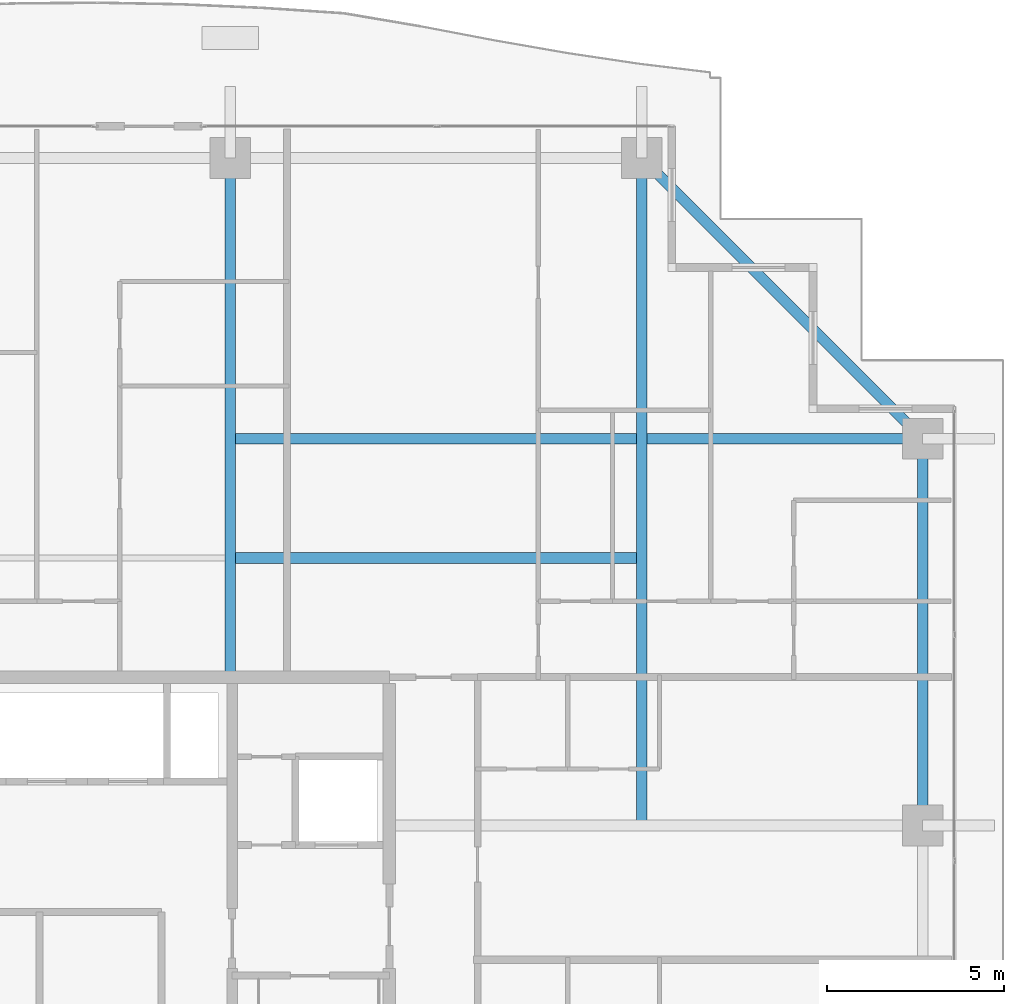
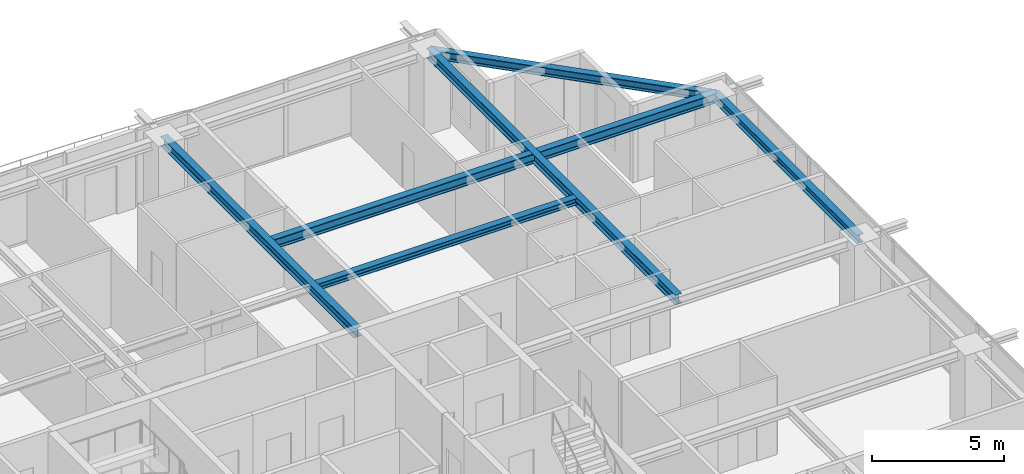
# One storey, part 23 of 39: 6 beams.
"""IFC4 building model written with IfcOpenShell, lengths in metres."""

from ifc_helpers import new_model, si_unit, direction, frame, origin, origin_2d, place, context, subcontext, project, spatial, i_section, extrude, source, transform, mapped, material, material_profile, profile_set, type_object, element, save


model = new_model("IFC4")

# Units and contexts
model_context = context("Model", 3, precision=1e-05, world=origin(), true_north=direction((0.0, 1.0)))
body_context = subcontext(model_context, "Body", "Model", "MODEL_VIEW")
ifc_project = project(units=[si_unit("LENGTHUNIT", "METRE"), si_unit("AREAUNIT", "SQUARE_METRE"), si_unit("VOLUMEUNIT", "CUBIC_METRE"), si_unit("PLANEANGLEUNIT", "RADIAN"), si_unit("MASSUNIT", "GRAM", prefix="KILO")], contexts=[model_context])

# Site, building, storey
site_placement = place(None, origin())
site = spatial("IfcSite", under=ifc_project, at=site_placement, CompositionType="ELEMENT")
building_placement = place(site_placement, origin())
building = spatial("IfcBuilding", under=site, at=building_placement, Name="Serunith Strait Residences", CompositionType="ELEMENT")
storey_placement = place(building_placement, frame((0.0, 0.0, 222.0)))
storey = spatial("IfcBuildingStorey", under=building, at=storey_placement, Name="L55", CompositionType="ELEMENT", Elevation=222.0)

# Beams
ifc_material = material(Name="Steel S355J2", Category="steel")
ifc_material_profile_1 = material_profile(ifc_material, i_section(OverallWidth=0.300048828125, OverallDepth=0.449951171875, WebThickness=0.013916015625, FlangeThickness=0.02587890625, FilletRadius=0.027099609375, at=origin_2d()), Name="HEB 450")
ifc_profile_set_1 = profile_set([ifc_material_profile_1], Name="Steel S355J2")
beam_type_1 = type_object("IfcBeamType", Name="BM-HEB450", PredefinedType="BEAM", material=ifc_profile_set_1)
shared_shape_1 = source(origin(), body_context, "Body", "SweptSolid", [
    extrude(i_section(OverallWidth=0.300048828125, OverallDepth=0.449951171875, WebThickness=0.013916015625, FlangeThickness=0.02587890625, FilletRadius=0.027099609375, at=origin_2d()), origin(), (0.0, 0.0, 1.0), 14.699951171875),
])
beam_1_placement = place(storey_placement, frame((36.89990234375, 33.60009765625, 3.362060546875), z_axis=(0.0, 1.0, 0.0), x_axis=(-1.0, 0.0, 0.0)))
element("IfcBeam", 1, at=beam_1_placement, inside=storey, type_object=beam_type_1, Name="L55 Primary Floor Girder TC-N3", PredefinedType="BEAM", context=body_context, shape_type="MappedRepresentation", body=[
    mapped(shared_shape_1, transform((0.0, 0.0, 0.0), scale=1.0)),
])
shared_shape_2 = source(origin(), body_context, "Body", "SweptSolid", [
    extrude(i_section(OverallWidth=0.300048828125, OverallDepth=0.449951171875, WebThickness=0.013916015625, FlangeThickness=0.02587890625, FilletRadius=0.027099609375, at=origin_2d()), origin(), (0.0, 0.0, 1.0), 18.900146484375),
])
beam_2_placement = place(storey_placement, frame((48.550048828125, 29.39990234375, 3.362060546875), z_axis=(0.0, 1.0, 0.0), x_axis=(-1.0, 0.0, 0.0)))
element("IfcBeam", 2, at=beam_2_placement, inside=storey, type_object=beam_type_1, Name="L55 Orthogonal Corner Girder TC-N4", PredefinedType="BEAM", context=body_context, shape_type="MappedRepresentation", body=[
    mapped(shared_shape_2, transform((0.0, 0.0, 0.0), scale=1.0)),
])
shared_shape_3 = source(origin(), body_context, "Body", "SweptSolid", [
    extrude(i_section(OverallWidth=0.300048828125, OverallDepth=0.449951171875, WebThickness=0.013916015625, FlangeThickness=0.02587890625, FilletRadius=0.027099609375, at=origin_2d()), origin(), (0.0, 0.0, 1.0), 19.60009765625),
])
beam_3_placement = place(storey_placement, frame((36.89990234375, 40.35009765625, 3.362060546875), z_axis=(1.0, 0.0, 0.0), x_axis=(0.0, 1.0, 0.0)))
element("IfcBeam", 3, at=beam_3_placement, inside=storey, type_object=beam_type_1, Name="L55 Orthogonal Corner Girder TC-E4", PredefinedType="BEAM", context=body_context, shape_type="MappedRepresentation", body=[
    mapped(shared_shape_3, transform((0.0, 0.0, 0.0), scale=1.0)),
])
ifc_material_profile_2 = material_profile(ifc_material, i_section(OverallWidth=0.300048828125, OverallDepth=0.39990234375, WebThickness=0.013427734375, FlangeThickness=0.02392578125, FilletRadius=0.027099609375, at=origin_2d()), Name="HEB 400")
ifc_profile_set_2 = profile_set([ifc_material_profile_2], Name="Steel S355J2")
beam_type_2 = type_object("IfcBeamType", Name="BM-HEB400", PredefinedType="BEAM", material=ifc_profile_set_2)
shared_shape_4 = source(origin(), body_context, "Body", "SweptSolid", [
    extrude(i_section(OverallWidth=0.300048828125, OverallDepth=0.39990234375, WebThickness=0.013427734375, FlangeThickness=0.02392578125, FilletRadius=0.027099609375, at=origin_2d()), origin(), (0.0, 0.0, 1.0), 11.242919921875),
])
beam_4_placement = place(storey_placement, frame((56.5, 40.35009765625, 3.35693359375), z_axis=(-0.707106781187, 0.707106781187, 0.0), x_axis=(-0.707106781187, -0.707106781187, 0.0)))
element("IfcBeam", 4, at=beam_4_placement, inside=storey, type_object=beam_type_2, Name="L55 Perimeter Ring Beam 08", PredefinedType="BEAM", context=body_context, shape_type="MappedRepresentation", body=[
    mapped(shared_shape_4, transform((0.0, 0.0, 0.0), scale=1.0)),
])
shared_shape_5 = source(origin(), body_context, "Body", "SweptSolid", [
    extrude(i_section(OverallWidth=0.300048828125, OverallDepth=0.39990234375, WebThickness=0.013427734375, FlangeThickness=0.02392578125, FilletRadius=0.027099609375, at=origin_2d()), origin(), (0.0, 0.0, 1.0), 10.9501953125),
])
beam_5_placement = place(storey_placement, frame((56.5, 29.39990234375, 3.386962890625), z_axis=(0.0, 1.0, 0.0), x_axis=(-1.0, 0.0, 0.0)))
element("IfcBeam", 5, at=beam_5_placement, inside=storey, type_object=beam_type_2, Name="L55 Perimeter Ring Beam 07", PredefinedType="BEAM", context=body_context, shape_type="MappedRepresentation", body=[
    mapped(shared_shape_5, transform((0.0, 0.0, 0.0), scale=1.0)),
])
ifc_material_profile_3 = material_profile(ifc_material, i_section(OverallWidth=0.300048828125, OverallDepth=0.300048828125, WebThickness=0.010986328125, FlangeThickness=0.01904296875, FilletRadius=0.027099609375, at=origin_2d()), Name="HEB 300")
ifc_profile_set_3 = profile_set([ifc_material_profile_3], Name="Steel S355J2")
beam_type_3 = type_object("IfcBeamType", Name="BM-HEB300", PredefinedType="JOIST", material=ifc_profile_set_3)
shared_shape_6 = source(origin(), body_context, "Body", "SweptSolid", [
    extrude(i_section(OverallWidth=0.300048828125, OverallDepth=0.300048828125, WebThickness=0.010986328125, FlangeThickness=0.01904296875, FilletRadius=0.027099609375, at=origin_2d()), origin(), (0.0, 0.0, 1.0), 11.349853515625),
])
beam_6_placement = place(storey_placement, frame((37.050048828125, 36.97509765625, 3.43701171875), z_axis=(1.0, 0.0, 0.0), x_axis=(0.0, 1.0, 0.0)))
element("IfcBeam", 6, at=beam_6_placement, inside=storey, type_object=beam_type_3, Name="L55 Composite Floor Joist 06", PredefinedType="JOIST", context=body_context, shape_type="MappedRepresentation", body=[
    mapped(shared_shape_6, transform((0.0, 0.0, 0.0), scale=1.0)),
])

save(model, "model.ifc")
